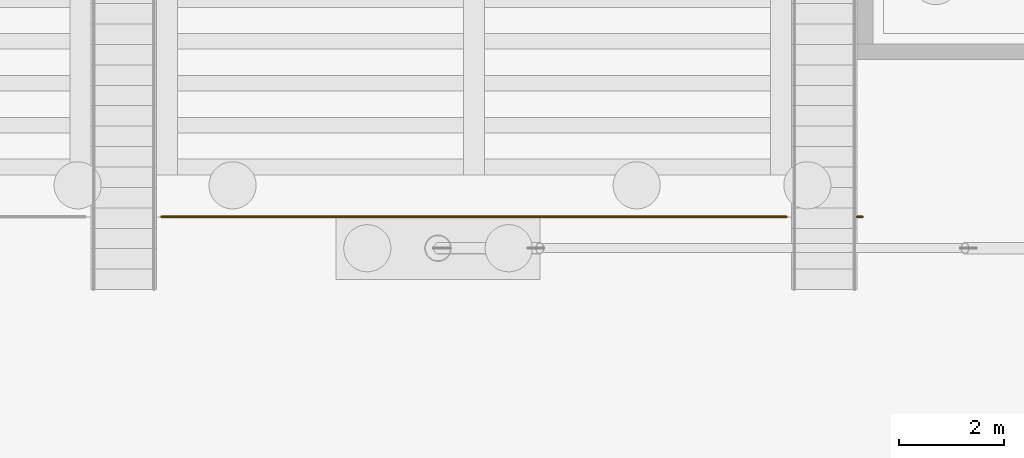
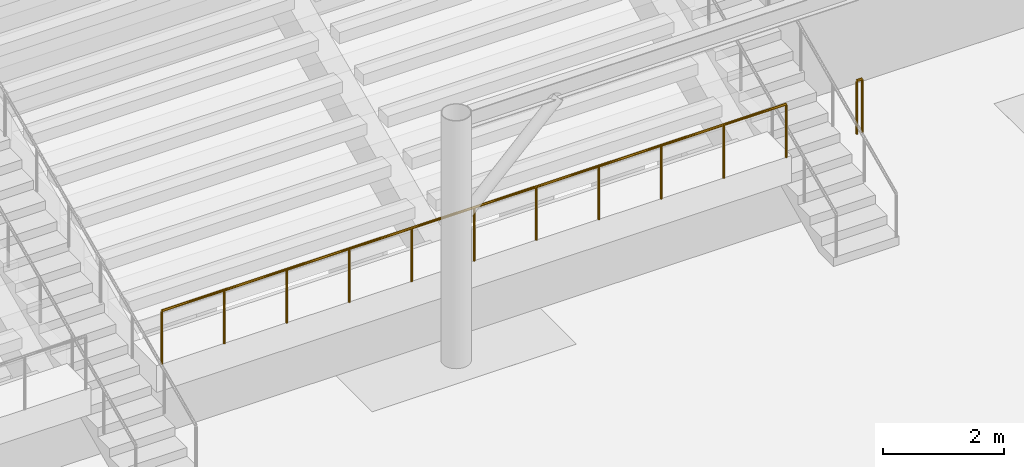
# One storey, part 149 of 157: 2 railings.
"""IFC4 building model written with IfcOpenShell, lengths in metres."""

from ifc_helpers import new_model, si_unit, direction, frame, origin, origin_2d, place, context, subcontext, project, spatial, circle, extrude, material, type_object, element, save


model = new_model("IFC4")

# Units and contexts
model_context = context("Model", 3, precision=1e-05, world=origin(), true_north=direction((0.0, 1.0)))
body_context = subcontext(model_context, "Body", "Model", "MODEL_VIEW")
ifc_project = project(units=[si_unit("LENGTHUNIT", "METRE"), si_unit("AREAUNIT", "SQUARE_METRE"), si_unit("VOLUMEUNIT", "CUBIC_METRE"), si_unit("PLANEANGLEUNIT", "RADIAN"), si_unit("MASSUNIT", "GRAM", prefix="KILO")], contexts=[model_context])

# Site, building, storey
site_placement = place(None, origin())
site = spatial("IfcSite", under=ifc_project, at=site_placement, CompositionType="ELEMENT")
building_placement = place(site_placement, origin())
building = spatial("IfcBuilding", under=site, at=building_placement, Name="Windward Yard Aquatics Centre", CompositionType="ELEMENT")
storey_placement = place(building_placement, origin())
storey = spatial("IfcBuildingStorey", under=building, at=storey_placement, Name="L00", CompositionType="ELEMENT", Elevation=0.0)

# Railings
ifc_material = material(Name="Stainless steel 1.4529", Category="steel")
railing_type = type_object("IfcRailingType", Name="H Guard Steel 1100", PredefinedType="GUARDRAIL", material=ifc_material)
railing_1_placement = place(storey_placement, frame((126.72509765625, 81.0, 1.39990234375)))
element("IfcRailing", 1, at=railing_1_placement, inside=storey, type_object=railing_type, Name="Stand front barrier N7", PredefinedType="GUARDRAIL", context=body_context, shape_type="SweptSolid", body=[
    extrude(circle(Radius=0.02392578125, at=origin_2d()), frame((0.0, 0.0, 1.076171875), z_axis=(1.0, 0.0, 0.0), x_axis=(0.0, 1.0, 0.0)), (0.0, 0.0, 1.0), 11.9248046875),
    extrude(circle(Radius=0.02099609375, at=origin_2d()), origin(), (0.0, 0.0, 1.0), 1.052001953125),
    extrude(circle(Radius=0.02099609375, at=origin_2d()), frame((1.1923828125, 0.0, 0.0)), (0.0, 0.0, 1.0), 1.052001953125),
    extrude(circle(Radius=0.02099609375, at=origin_2d()), frame((2.385009765625, 0.0, 0.0)), (0.0, 0.0, 1.0), 1.052001953125),
    extrude(circle(Radius=0.02099609375, at=origin_2d()), frame((3.577392578125, 0.0, 0.0)), (0.0, 0.0, 1.0), 1.052001953125),
    extrude(circle(Radius=0.02099609375, at=origin_2d()), frame((4.77001953125, 0.0, 0.0)), (0.0, 0.0, 1.0), 1.052001953125),
    extrude(circle(Radius=0.02099609375, at=origin_2d()), frame((5.96240234375, 0.0, 0.0)), (0.0, 0.0, 1.0), 1.052001953125),
    extrude(circle(Radius=0.02099609375, at=origin_2d()), frame((7.15478515625, 0.0, 0.0)), (0.0, 0.0, 1.0), 1.052001953125),
    extrude(circle(Radius=0.02099609375, at=origin_2d()), frame((8.347412109375, 0.0, 0.0)), (0.0, 0.0, 1.0), 1.052001953125),
    extrude(circle(Radius=0.02099609375, at=origin_2d()), frame((9.539794921875, 0.0, 0.0)), (0.0, 0.0, 1.0), 1.052001953125),
    extrude(circle(Radius=0.02099609375, at=origin_2d()), frame((10.732421875, 0.0, 0.0)), (0.0, 0.0, 1.0), 1.052001953125),
    extrude(circle(Radius=0.02099609375, at=origin_2d()), frame((11.9248046875, 0.0, 0.0)), (0.0, 0.0, 1.0), 1.052001953125),
])
railing_2_placement = place(storey_placement, frame((140.10009765625, 81.0, 1.39990234375)))
element("IfcRailing", 2, at=railing_2_placement, inside=storey, type_object=railing_type, Name="Stand front barrier N8", PredefinedType="GUARDRAIL", context=body_context, shape_type="SweptSolid", body=[
    extrude(circle(Radius=0.02392578125, at=origin_2d()), frame((0.0, 0.0, 1.076171875), z_axis=(-1.0, 0.0, 0.0), x_axis=(0.0, -1.0, 0.0)), (0.0, 0.0, 1.0), 0.10009765625),
    extrude(circle(Radius=0.02099609375, at=origin_2d()), origin(), (0.0, 0.0, 1.0), 1.052001953125),
    extrude(circle(Radius=0.02099609375, at=origin_2d()), frame((-0.10009765625, 0.0, 0.0)), (0.0, 0.0, 1.0), 1.052001953125),
])

save(model, "model.ifc")
